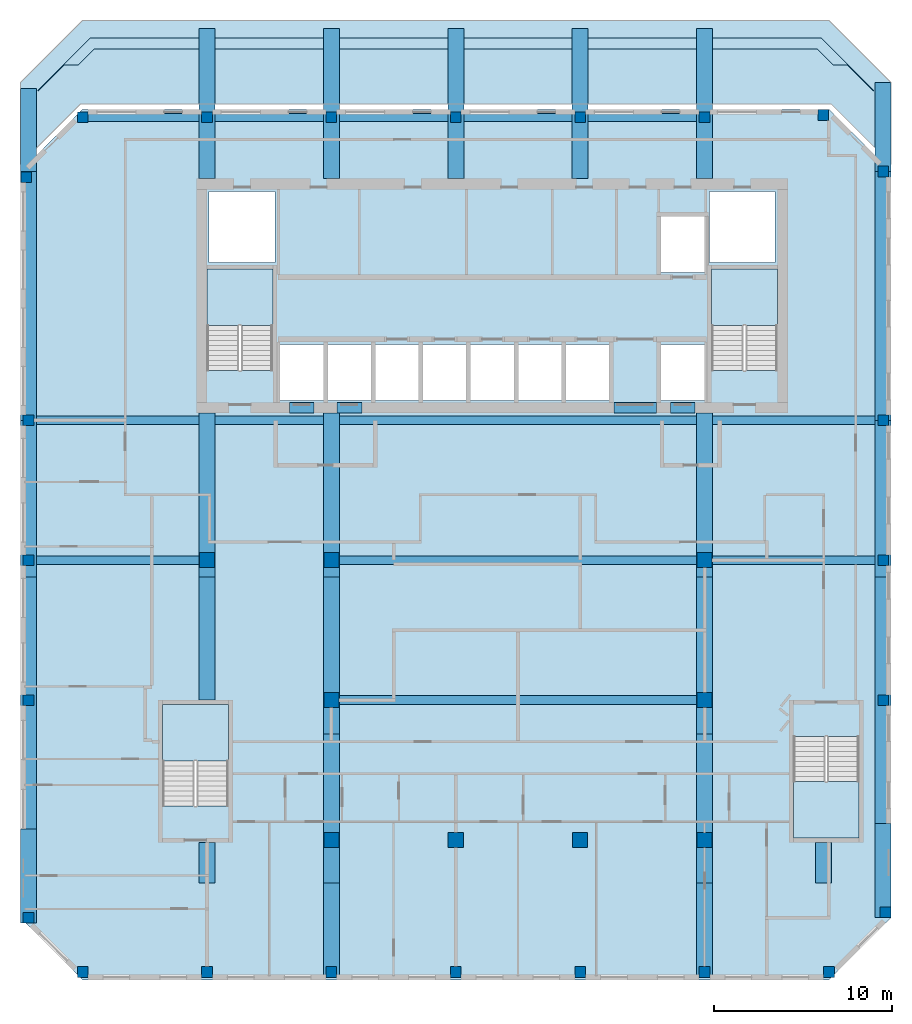
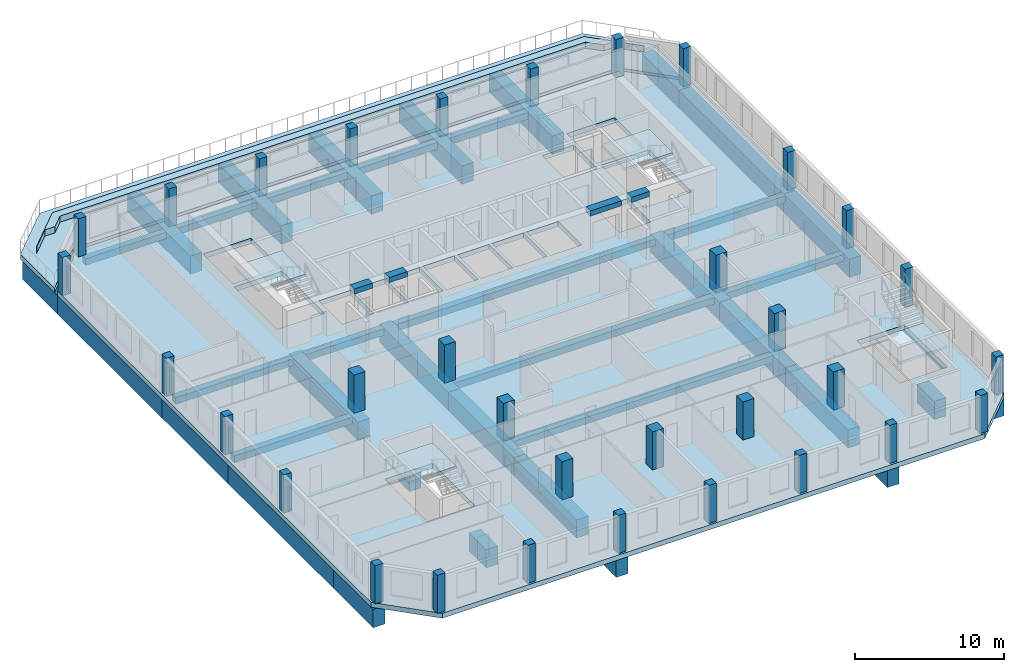
# One storey, part 1 of 12: 41 beams, 33 columns, 7 slabs, 4 elements without a shape of their own.
"""IFC4 building model written with IfcOpenShell, lengths in metres."""

from ifc_helpers import new_model, si_unit, direction, frame, origin, origin_2d, place, context, subcontext, project, spatial, polyline, rectangle, outline, extrude, source, transform, mapped, material, layer, layer_set, material_profile, profile_set, type_object, element, aggregate, save


model = new_model("IFC4")

# Units and contexts
model_context = context("Model", 3, precision=1e-05, world=origin(), true_north=direction((0.0, 1.0)))
body_context = subcontext(model_context, "Body", "Model", "MODEL_VIEW")
ifc_project = project(units=[si_unit("LENGTHUNIT", "METRE"), si_unit("AREAUNIT", "SQUARE_METRE"), si_unit("VOLUMEUNIT", "CUBIC_METRE"), si_unit("PLANEANGLEUNIT", "RADIAN"), si_unit("MASSUNIT", "GRAM", prefix="KILO")], contexts=[model_context])

# Site, building, storey
site_placement = place(None, origin())
site = spatial("IfcSite", under=ifc_project, at=site_placement, CompositionType="ELEMENT")
building_placement = place(site_placement, origin())
building = spatial("IfcBuilding", under=site, at=building_placement, Name="Kilnfold Tower and Market Hall", CompositionType="ELEMENT")
storey_placement = place(building_placement, frame((0.0, 0.0, 295.0)))
storey = spatial("IfcBuildingStorey", under=building, at=storey_placement, Name="L73", CompositionType="ELEMENT", Elevation=295.0)

# Columns
ifc_material_1 = material(Name="Concrete C60", Category="concrete")
ifc_material_profile_1 = material_profile(ifc_material_1, rectangle(XDim=0.60009765625, YDim=0.60009765625, at=origin_2d()), Name="RC 600x600")
ifc_profile_set_1 = profile_set([ifc_material_profile_1], Name="Concrete C60")
column_type_1 = type_object("IfcColumnType", Name="COLUMN 600X600 C60", PredefinedType="COLUMN", material=ifc_profile_set_1)
shared_shape_1 = source(origin(), body_context, "Body", "SweptSolid", [
    extrude(rectangle(XDim=0.60009765625, YDim=0.60009765625, at=origin_2d()), origin(), (0.0, 0.0, 1.0), 3.1201171875),
])
for number, where, z_axis, x_axis, name in (
    (1, (-25.181884765625, 21.681884765625, 0.0), (0.0, 0.0, 1.0), (1.0, 0.0, 0.0), "Column C-B9-1G"),
    (2, (-25.050048828125, -20.0, 0.0), (0.0, 0.0, 1.0), (1.0, 0.0, 0.0), "Column C-B9-1B"),
    (3, (-25.050048828125, -7.75, 0.0), (0.0, 0.0, 1.0), (1.0, 0.0, 0.0), "Column C-B9-1D"),
    (4, (-25.050048828125, 0.125, 0.0), (0.0, 0.0, 1.0), (1.0, 0.0, 0.0), "Column C-B9-1E"),
    (5, (-25.050048828125, 8.0, 0.0), (0.0, 0.0, 1.0), (1.0, 0.0, 0.0), "Column C-B9-1F"),
    (6, (-22.0, -23.050048828125, 0.0), (0.0, 0.0, 1.0), (1.0, 0.0, 0.0), "Column C-B9-2A"),
    (7, (-22.0, 25.050048828125, 0.0), (0.0, 0.0, 1.0), (1.0, 0.0, 0.0), "Column C-B9-2H"),
    (8, (-15.0, -23.050048828125, 0.0), (0.0, 0.0, 1.0), (1.0, 0.0, 0.0), "Column C-B9-3A"),
    (9, (-15.0, 25.050048828125, 0.0), (0.0, 0.0, 1.0), (1.0, 0.0, 0.0), "Column C-B9-3H"),
    (10, (-8.0, -23.050048828125, 0.0), (0.0, 0.0, 1.0), (1.0, 0.0, 0.0), "Column C-B9-4A"),
    (11, (-8.0, 25.050048828125, 0.0), (0.0, 0.0, 1.0), (1.0, 0.0, 0.0), "Column C-B9-4H"),
    (12, (-1.0, -23.050048828125, 0.0), (0.0, 0.0, 1.0), (1.0, 0.0, 0.0), "Column C-B9-5A"),
    (13, (-1.0, 25.050048828125, 0.0), (0.0, 0.0, 1.0), (1.0, 0.0, 0.0), "Column C-B9-5H"),
    (14, (6.0, -23.050048828125, 0.0), (0.0, 0.0, 1.0), (1.0, 0.0, 0.0), "Column C-B9-6A"),
    (15, (6.0, 25.050048828125, 0.0), (0.0, 0.0, 1.0), (1.0, 0.0, 0.0), "Column C-B9-6H"),
    (16, (13.0, -23.050048828125, 0.0), (0.0, 0.0, 1.0), (1.0, 0.0, 0.0), "Column C-B9-7A"),
    (17, (13.0, 25.050048828125, 0.0), (0.0, 0.0, 1.0), (1.0, 0.0, 0.0), "Column C-B9-7H"),
    (18, (19.681884765625, 25.181884765625, 0.0), (0.0, 0.0, 1.0), (1.0, 0.0, 0.0), "Column C-B9-8H"),
    (19, (20.0, -23.050048828125, 0.0), (0.0, 0.0, 1.0), (1.0, 0.0, 0.0), "Column C-B9-8A"),
    (20, (23.050048828125, -7.75, 0.0), (0.0, 0.0, 1.0), (1.0, 0.0, 0.0), "Column C-B9-9D"),
    (21, (23.050048828125, 0.125, 0.0), (0.0, 0.0, 1.0), (1.0, 0.0, 0.0), "Column C-B9-9E"),
    (22, (23.050048828125, 8.0, 0.0), (0.0, 0.0, 1.0), (1.0, 0.0, 0.0), "Column C-B9-9F"),
    (23, (23.050048828125, 22.0, 0.0), (0.0, 0.0, 1.0), (1.0, 0.0, 0.0), "Column C-B9-9G"),
    (24, (23.181884765625, -19.681884765625, 0.0), (0.0, 0.0, 1.0), (1.0, 0.0, 0.0), "Column C-B9-9B"),
):
    element("IfcColumn", number, at=place(storey_placement, frame(where, z_axis=z_axis, x_axis=x_axis)), inside=storey, type_object=column_type_1, Name=name, PredefinedType="COLUMN", context=body_context, shape_type="MappedRepresentation", body=[
        mapped(shared_shape_1, transform((0.0, 0.0, 0.0))),
    ])
ifc_material_2 = material(Name="Concrete C60", Category="concrete")
ifc_material_profile_2 = material_profile(ifc_material_2, rectangle(XDim=0.85009765625, YDim=0.85009765625, at=origin_2d()), Name="RC 850x850")
ifc_profile_set_2 = profile_set([ifc_material_profile_2], Name="Concrete C60")
column_type_2 = type_object("IfcColumnType", Name="COLUMN 850X850 C60", PredefinedType="COLUMN", material=ifc_profile_set_2)
shared_shape_2 = source(origin(), body_context, "Body", "SweptSolid", [
    extrude(rectangle(XDim=0.85009765625, YDim=0.85009765625, at=origin_2d()), origin(), (0.0, 0.0, 1.0), 3.1201171875),
])
for number, where, z_axis, x_axis, name in (
    (25, (-15.0, 0.125, 0.0), (0.0, 0.0, 1.0), (1.0, 0.0, 0.0), "Column C-B9-3E"),
    (26, (-8.0, -15.625, 0.0), (0.0, 0.0, 1.0), (1.0, 0.0, 0.0), "Column C-B9-4C"),
    (27, (-8.0, -7.75, 0.0), (0.0, 0.0, 1.0), (1.0, 0.0, 0.0), "Column C-B9-4D"),
    (28, (-8.0, 0.125, 0.0), (0.0, 0.0, 1.0), (1.0, 0.0, 0.0), "Column C-B9-4E"),
    (29, (-1.0, -15.625, 0.0), (0.0, 0.0, 1.0), (1.0, 0.0, 0.0), "Column C-B9-5C"),
    (30, (6.0, -15.625, 0.0), (0.0, 0.0, 1.0), (1.0, 0.0, 0.0), "Column C-B9-6C"),
    (31, (13.0, -15.625, 0.0), (0.0, 0.0, 1.0), (1.0, 0.0, 0.0), "Column C-B9-7C"),
    (32, (13.0, -7.75, 0.0), (0.0, 0.0, 1.0), (1.0, 0.0, 0.0), "Column C-B9-7D"),
    (33, (13.0, 0.125, 0.0), (0.0, 0.0, 1.0), (1.0, 0.0, 0.0), "Column C-B9-7E"),
):
    element("IfcColumn", number, at=place(storey_placement, frame(where, z_axis=z_axis, x_axis=x_axis)), inside=storey, type_object=column_type_2, Name=name, PredefinedType="COLUMN", context=body_context, shape_type="MappedRepresentation", body=[
        mapped(shared_shape_2, transform((0.0, 0.0, 0.0))),
    ])

# Beams
ifc_material_3 = material(Name="Concrete C60", Category="concrete")
ifc_material_profile_3 = material_profile(ifc_material_3, rectangle(XDim=0.89990234375, YDim=1.5, at=origin_2d()), Name="RC 900x1500")
ifc_profile_set_3 = profile_set([ifc_material_profile_3], Name="Concrete C60")
beam_type_1 = type_object("IfcBeamType", Name="TRANSFER GIRDER 900X1500 C60", PredefinedType="BEAM", material=ifc_profile_set_3)
shared_shape_3 = source(origin(), body_context, "Body", "SweptSolid", [
    extrude(rectangle(XDim=0.89990234375, YDim=1.5, at=origin_2d()), origin(), (0.0, 0.0, 1.0), 14.0),
])
for number, where, z_axis, x_axis, name in (
    (34, (-25.050048828125, 8.0, -1.14990234375), (0.0, 1.0, 0.0), (-1.0, 0.0, 0.0), "Beam TG1500-B9.4"),
    (35, (23.050048828125, 8.0, -1.14990234375), (0.0, 1.0, 0.0), (-1.0, 0.0, 0.0), "Beam TG1500-B9.26"),
):
    element("IfcBeam", number, at=place(storey_placement, frame(where, z_axis=z_axis, x_axis=x_axis)), inside=storey, type_object=beam_type_1, Name=name, PredefinedType="BEAM", context=body_context, shape_type="MappedRepresentation", body=[
        mapped(shared_shape_3, transform((0.0, 0.0, 0.0))),
    ])
ifc_material_4 = material(Name="Concrete C50", Category="concrete")
ifc_material_profile_4 = material_profile(ifc_material_4, rectangle(XDim=0.60009765625, YDim=0.419921875, at=origin_2d()), Name="RC 600x420")
ifc_profile_set_4 = profile_set([ifc_material_profile_4], Name="Concrete C50")
beam_type_2 = type_object("IfcBeamType", Name="COUPLING BEAM 600X420 C50", PredefinedType="BEAM", material=ifc_profile_set_4)
shared_shape_4 = source(origin(), body_context, "Body", "SweptSolid", [
    extrude(rectangle(XDim=0.60009765625, YDim=0.419921875, at=origin_2d()), origin(), (0.0, 0.0, 1.0), 1.400146484375),
])
beam_1_placement = place(storey_placement, frame((-10.3701171875, 8.699951171875, 2.909912109375), z_axis=(1.0, 0.0, 0.0), x_axis=(0.0, 1.0, 0.0)))
element("IfcBeam", 36, at=beam_1_placement, inside=storey, type_object=beam_type_2, Name="Coupling beam CB420-50-CORE.30", PredefinedType="BEAM", context=body_context, shape_type="MappedRepresentation", body=[
    mapped(shared_shape_4, transform((0.0, 0.0, 0.0))),
])
shared_shape_5 = source(origin(), body_context, "Body", "SweptSolid", [
    extrude(rectangle(XDim=0.60009765625, YDim=0.419921875, at=origin_2d()), origin(), (0.0, 0.0, 1.0), 1.39990234375),
])
for number, where, z_axis, x_axis, name in (
    (37, (-7.68994140625, 8.699951171875, 2.909912109375), (1.0, 0.0, 0.0), (0.0, 1.0, 0.0), "Coupling beam CB420-50-CORE.31"),
    (38, (11.070068359375, 8.699951171875, 2.909912109375), (1.0, 0.0, 0.0), (0.0, 1.0, 0.0), "Coupling beam CB420-50-CORE.33"),
):
    element("IfcBeam", number, at=place(storey_placement, frame(where, z_axis=z_axis, x_axis=x_axis)), inside=storey, type_object=beam_type_2, Name=name, PredefinedType="BEAM", context=body_context, shape_type="MappedRepresentation", body=[
        mapped(shared_shape_5, transform((0.0, 0.0, 0.0))),
    ])
shared_shape_6 = source(origin(), body_context, "Body", "SweptSolid", [
    extrude(rectangle(XDim=0.60009765625, YDim=0.419921875, at=origin_2d()), origin(), (0.0, 0.0, 1.0), 2.400146484375),
])
beam_2_placement = place(storey_placement, frame((7.889892578125, 8.699951171875, 2.909912109375), z_axis=(1.0, 0.0, 0.0), x_axis=(0.0, 1.0, 0.0)))
element("IfcBeam", 39, at=beam_2_placement, inside=storey, type_object=beam_type_2, Name="Coupling beam CB420-50-CORE.32", PredefinedType="BEAM", context=body_context, shape_type="MappedRepresentation", body=[
    mapped(shared_shape_6, transform((0.0, 0.0, 0.0))),
])
ifc_material_5 = material(Name="Concrete C45", Category="concrete")
ifc_material_profile_5 = material_profile(ifc_material_5, rectangle(XDim=0.5, YDim=0.550048828125, at=origin_2d()), Name="RC 500x550")
ifc_profile_set_5 = profile_set([ifc_material_profile_5], Name="Concrete C45")
beam_type_3 = type_object("IfcBeamType", Name="BEAM 500X550 C45", PredefinedType="BEAM", material=ifc_profile_set_5)
shared_shape_7 = source(origin(), body_context, "Body", "SweptSolid", [
    extrude(rectangle(XDim=0.5, YDim=0.550048828125, at=origin_2d()), origin(), (0.0, 0.0, 1.0), 47.2001953125),
])
beam_3_placement = place(storey_placement, frame((-24.60009765625, 8.0, -0.675048828125), z_axis=(1.0, 0.0, 0.0), x_axis=(0.0, 1.0, 0.0)))
element("IfcBeam", 40, at=beam_3_placement, inside=storey, type_object=beam_type_3, Name="Beam BB550-B9.32", PredefinedType="BEAM", context=body_context, shape_type="MappedRepresentation", body=[
    mapped(shared_shape_7, transform((0.0, 0.0, 0.0))),
])
shared_shape_8 = source(origin(), body_context, "Body", "SweptSolid", [
    extrude(rectangle(XDim=0.5, YDim=0.550048828125, at=origin_2d()), origin(), (0.0, 0.0, 1.0), 20.10009765625),
])
for number, where, z_axis, x_axis, name in (
    (41, (-7.550048828125, -7.75, -0.675048828125), (1.0, 0.0, 0.0), (0.0, 1.0, 0.0), "Beam BB550-B9.28"),
    (42, (-7.550048828125, 0.1201171875, -0.675048828125), (1.0, 0.0, 0.0), (0.0, 1.0, 0.0), "Beam BB550-B9.30"),
):
    element("IfcBeam", number, at=place(storey_placement, frame(where, z_axis=z_axis, x_axis=x_axis)), inside=storey, type_object=beam_type_3, Name=name, PredefinedType="BEAM", context=body_context, shape_type="MappedRepresentation", body=[
        mapped(shared_shape_8, transform((0.0, 0.0, 0.0))),
    ])
shared_shape_9 = source(origin(), body_context, "Body", "SweptSolid", [
    extrude(rectangle(XDim=0.89990234375, YDim=1.5, at=origin_2d()), origin(), (0.0, 0.0, 1.0), 5.300048828125),
])
for number, where, z_axis, x_axis, name in (
    (43, (-25.050048828125, -20.300048828125, -1.14990234375), (0.0, 1.0, 0.0), (-1.0, 0.0, 0.0), "Beam TG1500-B9.1"),
    (44, (-8.0, -23.35009765625, -1.14990234375), (0.0, 1.0, 0.0), (-1.0, 0.0, 0.0), "Beam TG1500-B9.10"),
    (45, (13.0, -23.35009765625, -1.14990234375), (0.0, 1.0, 0.0), (-1.0, 0.0, 0.0), "Beam TG1500-B9.17"),
):
    element("IfcBeam", number, at=place(storey_placement, frame(where, z_axis=z_axis, x_axis=x_axis)), inside=storey, type_object=beam_type_1, Name=name, PredefinedType="BEAM", context=body_context, shape_type="MappedRepresentation", body=[
        mapped(shared_shape_9, transform((0.0, 0.0, 0.0))),
    ])
shared_shape_10 = source(origin(), body_context, "Body", "SweptSolid", [
    extrude(rectangle(XDim=0.89990234375, YDim=1.5, at=origin_2d()), origin(), (0.0, 0.0, 1.0), 14.166748046875),
])
beam_4_placement = place(storey_placement, frame((-25.050048828125, -15.0, -1.14990234375), z_axis=(0.0, 1.0, 0.0), x_axis=(-1.0, 0.0, 0.0)))
element("IfcBeam", 46, at=beam_4_placement, inside=storey, type_object=beam_type_1, Name="Beam TG1500-B9.2", PredefinedType="BEAM", context=body_context, shape_type="MappedRepresentation", body=[
    mapped(shared_shape_10, transform((0.0, 0.0, 0.0))),
])
shared_shape_11 = source(origin(), body_context, "Body", "SweptSolid", [
    extrude(rectangle(XDim=0.89990234375, YDim=1.5, at=origin_2d()), origin(), (0.0, 0.0, 1.0), 8.833251953125),
])
for number, where, z_axis, x_axis, name in (
    (47, (-25.050048828125, -0.833251953125, -1.14990234375), (0.0, 1.0, 0.0), (-1.0, 0.0, 0.0), "Beam TG1500-B9.3"),
    (48, (23.050048828125, -0.833251953125, -1.14990234375), (0.0, 1.0, 0.0), (-1.0, 0.0, 0.0), "Beam TG1500-B9.25"),
):
    element("IfcBeam", number, at=place(storey_placement, frame(where, z_axis=z_axis, x_axis=x_axis)), inside=storey, type_object=beam_type_1, Name=name, PredefinedType="BEAM", context=body_context, shape_type="MappedRepresentation", body=[
        mapped(shared_shape_11, transform((0.0, 0.0, 0.0))),
    ])
shared_shape_12 = source(origin(), body_context, "Body", "SweptSolid", [
    extrude(rectangle(XDim=0.89990234375, YDim=1.5, at=origin_2d()), origin(), (0.0, 0.0, 1.0), 4.681884765625),
])
beam_5_placement = place(storey_placement, frame((-25.050048828125, 22.0, -1.14990234375), z_axis=(0.0, 1.0, 0.0), x_axis=(-1.0, 0.0, 0.0)))
element("IfcBeam", 49, at=beam_5_placement, inside=storey, type_object=beam_type_1, Name="Beam TG1500-B9.5", PredefinedType="BEAM", context=body_context, shape_type="MappedRepresentation", body=[
    mapped(shared_shape_12, transform((0.0, 0.0, 0.0))),
])
shared_shape_13 = source(origin(), body_context, "Body", "SweptSolid", [
    extrude(rectangle(XDim=0.89990234375, YDim=1.5, at=origin_2d()), origin(), (0.0, 0.0, 1.0), 2.300048828125),
])
for number, where, z_axis, x_axis, name in (
    (50, (-15.0, -18.050048828125, -1.14990234375), (0.0, 1.0, 0.0), (-1.0, 0.0, 0.0), "Beam TG1500-B9.6"),
    (51, (19.679931640625, -18.050048828125, -1.14990234375), (0.0, 1.0, 0.0), (-1.0, 0.0, 0.0), "Beam TG1500-B9.22"),
):
    element("IfcBeam", number, at=place(storey_placement, frame(where, z_axis=z_axis, x_axis=x_axis)), inside=storey, type_object=beam_type_1, Name=name, PredefinedType="BEAM", context=body_context, shape_type="MappedRepresentation", body=[
        mapped(shared_shape_13, transform((0.0, 0.0, 0.0))),
    ])
shared_shape_14 = source(origin(), body_context, "Body", "SweptSolid", [
    extrude(rectangle(XDim=0.89990234375, YDim=1.5, at=origin_2d()), origin(), (0.0, 0.0, 1.0), 6.916748046875),
])
beam_6_placement = place(storey_placement, frame((-15.0, -7.75, -1.14990234375), z_axis=(0.0, 1.0, 0.0), x_axis=(-1.0, 0.0, 0.0)))
element("IfcBeam", 52, at=beam_6_placement, inside=storey, type_object=beam_type_1, Name="Beam TG1500-B9.7", PredefinedType="BEAM", context=body_context, shape_type="MappedRepresentation", body=[
    mapped(shared_shape_14, transform((0.0, 0.0, 0.0))),
])
shared_shape_15 = source(origin(), body_context, "Body", "SweptSolid", [
    extrude(rectangle(XDim=0.89990234375, YDim=1.5, at=origin_2d()), origin(), (0.0, 0.0, 1.0), 9.233154296875),
])
for number, where, z_axis, x_axis, name in (
    (53, (-15.0, -0.833251953125, -1.14990234375), (0.0, 1.0, 0.0), (-1.0, 0.0, 0.0), "Beam TG1500-B9.8"),
    (54, (-8.0, -0.833251953125, -1.14990234375), (0.0, 1.0, 0.0), (-1.0, 0.0, 0.0), "Beam TG1500-B9.13"),
    (55, (13.0, -0.833251953125, -1.14990234375), (0.0, 1.0, 0.0), (-1.0, 0.0, 0.0), "Beam TG1500-B9.20"),
):
    element("IfcBeam", number, at=place(storey_placement, frame(where, z_axis=z_axis, x_axis=x_axis)), inside=storey, type_object=beam_type_1, Name=name, PredefinedType="BEAM", context=body_context, shape_type="MappedRepresentation", body=[
        mapped(shared_shape_15, transform((0.0, 0.0, 0.0))),
    ])
shared_shape_16 = source(origin(), body_context, "Body", "SweptSolid", [
    extrude(rectangle(XDim=0.89990234375, YDim=1.5, at=origin_2d()), origin(), (0.0, 0.0, 1.0), 8.449951171875),
])
for number, where, z_axis, x_axis, name in (
    (56, (-15.0, 21.60009765625, -1.14990234375), (0.0, 1.0, 0.0), (-1.0, 0.0, 0.0), "Beam TG1500-B9.9"),
    (57, (-8.0, 21.60009765625, -1.14990234375), (0.0, 1.0, 0.0), (-1.0, 0.0, 0.0), "Beam TG1500-B9.14"),
    (58, (-1.0, 21.60009765625, -1.14990234375), (0.0, 1.0, 0.0), (-1.0, 0.0, 0.0), "Beam TG1500-B9.15"),
    (59, (6.0, 21.60009765625, -1.14990234375), (0.0, 1.0, 0.0), (-1.0, 0.0, 0.0), "Beam TG1500-B9.16"),
    (60, (13.0, 21.60009765625, -1.14990234375), (0.0, 1.0, 0.0), (-1.0, 0.0, 0.0), "Beam TG1500-B9.21"),
):
    element("IfcBeam", number, at=place(storey_placement, frame(where, z_axis=z_axis, x_axis=x_axis)), inside=storey, type_object=beam_type_1, Name=name, PredefinedType="BEAM", context=body_context, shape_type="MappedRepresentation", body=[
        mapped(shared_shape_16, transform((0.0, 0.0, 0.0))),
    ])
shared_shape_17 = source(origin(), body_context, "Body", "SweptSolid", [
    extrude(rectangle(XDim=0.89990234375, YDim=1.5, at=origin_2d()), origin(), (0.0, 0.0, 1.0), 8.38330078125),
])
for number, where, z_axis, x_axis, name in (
    (61, (-8.0, -18.050048828125, -1.14990234375), (0.0, 1.0, 0.0), (-1.0, 0.0, 0.0), "Beam TG1500-B9.11"),
    (62, (13.0, -18.050048828125, -1.14990234375), (0.0, 1.0, 0.0), (-1.0, 0.0, 0.0), "Beam TG1500-B9.18"),
):
    element("IfcBeam", number, at=place(storey_placement, frame(where, z_axis=z_axis, x_axis=x_axis)), inside=storey, type_object=beam_type_1, Name=name, PredefinedType="BEAM", context=body_context, shape_type="MappedRepresentation", body=[
        mapped(shared_shape_17, transform((0.0, 0.0, 0.0))),
    ])
shared_shape_18 = source(origin(), body_context, "Body", "SweptSolid", [
    extrude(rectangle(XDim=0.89990234375, YDim=1.5, at=origin_2d()), origin(), (0.0, 0.0, 1.0), 8.83349609375),
])
for number, where, z_axis, x_axis, name in (
    (63, (-8.0, -9.666748046875, -1.14990234375), (0.0, 1.0, 0.0), (-1.0, 0.0, 0.0), "Beam TG1500-B9.12"),
    (64, (13.0, -9.666748046875, -1.14990234375), (0.0, 1.0, 0.0), (-1.0, 0.0, 0.0), "Beam TG1500-B9.19"),
):
    element("IfcBeam", number, at=place(storey_placement, frame(where, z_axis=z_axis, x_axis=x_axis)), inside=storey, type_object=beam_type_1, Name=name, PredefinedType="BEAM", context=body_context, shape_type="MappedRepresentation", body=[
        mapped(shared_shape_18, transform((0.0, 0.0, 0.0))),
    ])
shared_shape_19 = source(origin(), body_context, "Body", "SweptSolid", [
    extrude(rectangle(XDim=0.89990234375, YDim=1.5, at=origin_2d()), origin(), (0.0, 0.0, 1.0), 5.2998046875),
])
beam_7_placement = place(storey_placement, frame((23.050048828125, -19.981689453125, -1.14990234375), z_axis=(0.0, 1.0, 0.0), x_axis=(-1.0, 0.0, 0.0)))
element("IfcBeam", 65, at=beam_7_placement, inside=storey, type_object=beam_type_1, Name="Beam TG1500-B9.23", PredefinedType="BEAM", context=body_context, shape_type="MappedRepresentation", body=[
    mapped(shared_shape_19, transform((0.0, 0.0, 0.0))),
])
shared_shape_20 = source(origin(), body_context, "Body", "SweptSolid", [
    extrude(rectangle(XDim=0.89990234375, YDim=1.5, at=origin_2d()), origin(), (0.0, 0.0, 1.0), 13.8486328125),
])
beam_8_placement = place(storey_placement, frame((23.050048828125, -14.681884765625, -1.14990234375), z_axis=(0.0, 1.0, 0.0), x_axis=(-1.0, 0.0, 0.0)))
element("IfcBeam", 66, at=beam_8_placement, inside=storey, type_object=beam_type_1, Name="Beam TG1500-B9.24", PredefinedType="BEAM", context=body_context, shape_type="MappedRepresentation", body=[
    mapped(shared_shape_20, transform((0.0, 0.0, 0.0))),
])
shared_shape_21 = source(origin(), body_context, "Body", "SweptSolid", [
    extrude(rectangle(XDim=0.89990234375, YDim=1.5, at=origin_2d()), origin(), (0.0, 0.0, 1.0), 5.0),
])
beam_9_placement = place(storey_placement, frame((23.050048828125, 22.0, -1.14990234375), z_axis=(0.0, 1.0, 0.0), x_axis=(-1.0, 0.0, 0.0)))
element("IfcBeam", 67, at=beam_9_placement, inside=storey, type_object=beam_type_1, Name="Beam TG1500-B9.27", PredefinedType="BEAM", context=body_context, shape_type="MappedRepresentation", body=[
    mapped(shared_shape_21, transform((0.0, 0.0, 0.0))),
])
shared_shape_22 = source(origin(), body_context, "Body", "SweptSolid", [
    extrude(rectangle(XDim=0.5, YDim=0.550048828125, at=origin_2d()), origin(), (0.0, 0.0, 1.0), 9.150146484375),
])
for number, where, z_axis, x_axis, name in (
    (68, (-24.60009765625, 0.1201171875, -0.675048828125), (1.0, 0.0, 0.0), (0.0, 1.0, 0.0), "Beam BB550-B9.29"),
    (69, (13.449951171875, 0.1201171875, -0.675048828125), (1.0, 0.0, 0.0), (0.0, 1.0, 0.0), "Beam BB550-B9.31"),
):
    element("IfcBeam", number, at=place(storey_placement, frame(where, z_axis=z_axis, x_axis=x_axis)), inside=storey, type_object=beam_type_3, Name=name, PredefinedType="BEAM", context=body_context, shape_type="MappedRepresentation", body=[
        mapped(shared_shape_22, transform((0.0, 0.0, 0.0))),
    ])
ifc_material_6 = material(Name="Concrete C45", Category="concrete")
ifc_material_profile_6 = material_profile(ifc_material_6, rectangle(XDim=0.449951171875, YDim=0.550048828125, at=origin_2d()), Name="RC 450x550")
ifc_profile_set_6 = profile_set([ifc_material_profile_6], Name="Concrete C45")
beam_type_4 = type_object("IfcBeamType", Name="EDGE BEAM 450X550 C45", PredefinedType="BEAM", material=ifc_profile_set_6)
shared_shape_23 = source(origin(), body_context, "Body", "SweptSolid", [
    extrude(rectangle(XDim=0.449951171875, YDim=0.550048828125, at=origin_2d()), origin(), (0.0, 0.0, 1.0), 6.25),
])
beam_10_placement = place(storey_placement, frame((-21.699951171875, 25.050048828125, -0.675048828125), z_axis=(1.0, 0.0, 0.0), x_axis=(0.0, 1.0, 0.0)))
element("IfcBeam", 70, at=beam_10_placement, inside=storey, type_object=beam_type_4, Name="Beam EB550-B9.33", PredefinedType="BEAM", context=body_context, shape_type="MappedRepresentation", body=[
    mapped(shared_shape_23, transform((0.0, 0.0, 0.0))),
])
shared_shape_24 = source(origin(), body_context, "Body", "SweptSolid", [
    extrude(rectangle(XDim=0.449951171875, YDim=0.550048828125, at=origin_2d()), origin(), (0.0, 0.0, 1.0), 6.10009765625),
])
for number, where, z_axis, x_axis, name in (
    (71, (-14.550048828125, 25.050048828125, -0.675048828125), (1.0, 0.0, 0.0), (0.0, 1.0, 0.0), "Beam EB550-B9.34"),
    (72, (-7.550048828125, 25.050048828125, -0.675048828125), (1.0, 0.0, 0.0), (0.0, 1.0, 0.0), "Beam EB550-B9.35"),
    (73, (-0.550048828125, 25.050048828125, -0.675048828125), (1.0, 0.0, 0.0), (0.0, 1.0, 0.0), "Beam EB550-B9.36"),
    (74, (6.449951171875, 25.050048828125, -0.675048828125), (1.0, 0.0, 0.0), (0.0, 1.0, 0.0), "Beam EB550-B9.37"),
):
    element("IfcBeam", number, at=place(storey_placement, frame(where, z_axis=z_axis, x_axis=x_axis)), inside=storey, type_object=beam_type_4, Name=name, PredefinedType="BEAM", context=body_context, shape_type="MappedRepresentation", body=[
        mapped(shared_shape_24, transform((0.0, 0.0, 0.0))),
    ])

# Slabs
ifc_material_7 = material(Name="Concrete C45", Category="concrete")
ifc_layer_1 = layer(ifc_material_7, 0.39990234375)
ifc_layer_set_1 = layer_set([ifc_layer_1], Name="Concrete C45")
slab_type_1 = type_object("IfcSlabType", Name="FLOOR SLAB 400", PredefinedType="FLOOR", material=ifc_layer_set_1)
shared_shape_25 = source(origin(), body_context, "Body", "SweptSolid", [
    extrude(outline(polyline([(-22.0, -23.5), (20.0, -23.5), (23.5, -20.0), (23.5, 22.0), (20.0, 25.5), (-22.0, 25.5), (-25.5, 22.0), (-25.5, -20.0), (-22.0, -23.5)]), holes=[polyline([(-13.800537109375, -8.00048828125), (-13.800537109375, -13.699462890625), (-17.49951171875, -13.699462890625), (-17.49951171875, -8.00048828125), (-13.800537109375, -8.00048828125)]), polyline([(-11.300537109375, 10.800537109375), (-14.99951171875, 10.800537109375), (-14.99951171875, 16.49951171875), (-11.300537109375, 16.49951171875), (-11.300537109375, 10.800537109375)]), polyline([(-11.175048828125, 16.875), (-14.875, 16.875), (-14.875, 20.875), (-11.175048828125, 20.875), (-11.175048828125, 16.875)]), polyline([(-8.455078125, 9.125), (-10.885009765625, 9.125), (-10.885009765625, 12.27490234375), (-8.455078125, 12.27490234375), (-8.455078125, 9.125)]), polyline([(-5.77490234375, 9.125), (-8.205078125, 9.125), (-8.205078125, 12.27490234375), (-5.77490234375, 12.27490234375), (-5.77490234375, 9.125)]), polyline([(-3.094970703125, 9.125), (-5.52490234375, 9.125), (-5.52490234375, 12.27490234375), (-3.094970703125, 12.27490234375), (-3.094970703125, 9.125)]), polyline([(-0.4150390625, 9.125), (-2.844970703125, 9.125), (-2.844970703125, 12.27490234375), (-0.4150390625, 12.27490234375), (-0.4150390625, 9.125)]), polyline([(2.264892578125, 9.125), (-0.1650390625, 9.125), (-0.1650390625, 12.27490234375), (2.264892578125, 12.27490234375), (2.264892578125, 9.125)]), polyline([(4.945068359375, 9.125), (2.514892578125, 9.125), (2.514892578125, 12.27490234375), (4.945068359375, 12.27490234375), (4.945068359375, 9.125)]), polyline([(7.625, 9.125), (5.195068359375, 9.125), (5.195068359375, 12.27490234375), (7.625, 12.27490234375), (7.625, 9.125)]), polyline([(12.985107421875, 9.125), (10.554931640625, 9.125), (10.554931640625, 12.27490234375), (12.985107421875, 12.27490234375), (12.985107421875, 9.125)]), polyline([(12.985107421875, 16.324951171875), (10.554931640625, 16.324951171875), (10.554931640625, 19.47509765625), (12.985107421875, 19.47509765625), (12.985107421875, 16.324951171875)]), polyline([(16.97509765625, 16.875), (13.27490234375, 16.875), (13.27490234375, 20.875), (16.97509765625, 20.875), (16.97509765625, 16.875)]), polyline([(17.099609375, 10.800537109375), (13.400390625, 10.800537109375), (13.400390625, 16.49951171875), (17.099609375, 16.49951171875), (17.099609375, 10.800537109375)]), polyline([(18.00048828125, -9.800537109375), (21.699462890625, -9.800537109375), (21.699462890625, -15.49951171875), (18.00048828125, -15.49951171875), (18.00048828125, -9.800537109375)])]), origin(), (0.0, 0.0, 1.0), 0.400146484375),
])
slab_1_placement = place(storey_placement, frame((0.0, 0.0, -0.400146484375)))
element("IfcSlab", 75, at=slab_1_placement, inside=storey, type_object=slab_type_1, Name="Floor slab L73", PredefinedType="FLOOR", context=body_context, shape_type="MappedRepresentation", body=[
    mapped(shared_shape_25, transform((0.0, 0.0, 0.0))),
])
ifc_material_8 = material(Name="Concrete C40/50", Category="concrete")
ifc_layer_2 = layer(ifc_material_8, 0.39990234375)
ifc_layer_set_2 = layer_set([ifc_layer_2], Name="Concrete C40/50")
slab_type_2 = type_object("IfcSlabType", Name="TOWER TERRACE SLAB 400", PredefinedType="ROOF", material=ifc_layer_set_2)
shared_shape_26 = source(origin(), body_context, "Body", "SweptSolid", [
    extrude(outline(polyline([(-25.5, 27.0), (-22.0, 30.5), (20.0, 30.5), (23.5, 27.0), (23.5, 22.42431640625), (20.124267578125, 25.800048828125), (-22.124267578125, 25.800048828125), (-25.5, 22.42431640625), (-25.5, 27.0)])), origin(), (0.0, 0.0, 1.0), 0.39990234375),
])
slab_2_placement = place(storey_placement, frame((0.0, 0.0, -0.39990234375)))
element("IfcSlab", 76, at=slab_2_placement, inside=storey, type_object=slab_type_2, Name="Terrace slab L73 1", PredefinedType="ROOF", context=body_context, shape_type="MappedRepresentation", body=[
    mapped(shared_shape_26, transform((0.0, 0.0, 0.0))),
])
ifc_material_9 = material(Name="Concrete C40/50", Category="concrete")
ifc_layer_3 = layer(ifc_material_9, 0.5)
ifc_layer_set_3 = layer_set([ifc_layer_3], Name="Concrete C40/50")
slab_type_3 = type_object("IfcSlabType", Name="PLANTER BED 500", PredefinedType="ROOF", material=ifc_layer_set_3)
shared_shape_27 = source(origin(), body_context, "Body", "SweptSolid", [
    extrude(outline(polyline([(19.585693359375, 29.5), (22.5, 26.585693359375), (22.5, 26.535400390625), (21.035400390625, 28.0), (20.2373046875, 28.0), (19.33740234375, 28.89990234375), (-21.33740234375, 28.89990234375), (-22.2373046875, 28.0), (-23.035400390625, 28.0), (-24.5, 26.535400390625), (-24.5, 26.585693359375), (-21.585693359375, 29.5), (19.585693359375, 29.5)])), origin(), (0.0, 0.0, 1.0), 0.5),
])
slab_3_placement = place(storey_placement, origin())
element("IfcSlab", 77, at=slab_3_placement, inside=storey, type_object=slab_type_3, Name="Planter bed L73 1.1", PredefinedType="ROOF", context=body_context, shape_type="MappedRepresentation", body=[
    mapped(shared_shape_27, transform((0.0, 0.0, 0.0))),
])

# Stair, slab
ifc_material_10 = material(Name="Concrete C40/50", Category="concrete")
stair_type = type_object("IfcStairType", Name="CORE STAIR 1800", PredefinedType="HALF_TURN_STAIR", material=ifc_material_10)
stair_1_placement = place(storey_placement, origin())
stair_1 = element("IfcStair", 78, at=stair_1_placement, inside=storey, type_object=stair_type, Name="L73 ST1", PredefinedType="HALF_TURN_STAIR")
ifc_material_11 = material(Name="Concrete C40/50", Category="concrete")
ifc_layer_4 = layer(ifc_material_11, 0.199951171875)
ifc_layer_set_4 = layer_set([ifc_layer_4], Name="Concrete C40/50")
slab_type_4 = type_object("IfcSlabType", Name="CORE STAIR LANDING 200", PredefinedType="LANDING", material=ifc_layer_set_4)
shared_shape_28 = source(origin(), body_context, "Body", "SweptSolid", [
    extrude(outline(polyline([(-11.300048828125, 13.320068359375), (-11.300048828125, 16.5), (-15.0, 16.5), (-15.0, 13.320068359375), (-11.300048828125, 13.320068359375)])), origin(), (0.0, 0.0, 1.0), 0.199951171875),
])
slab_4_placement = place(storey_placement, frame((0.0, 0.0, 1.5)))
slab_4 = element("IfcSlab", 79, at=slab_4_placement, type_object=slab_type_4, Name="ST1 landing 1", PredefinedType="LANDING", context=body_context, shape_type="MappedRepresentation", body=[
    mapped(shared_shape_28, transform((0.0, 0.0, 0.0))),
])
aggregate(stair_1, [slab_4])

stair_2_placement = place(storey_placement, origin())
stair_2 = element("IfcStair", 80, at=stair_2_placement, inside=storey, type_object=stair_type, Name="L73 ST2", PredefinedType="HALF_TURN_STAIR")
shared_shape_29 = source(origin(), body_context, "Body", "SweptSolid", [
    extrude(outline(polyline([(17.10009765625, 13.320068359375), (17.10009765625, 16.5), (13.39990234375, 16.5), (13.39990234375, 13.320068359375), (17.10009765625, 13.320068359375)])), origin(), (0.0, 0.0, 1.0), 0.199951171875),
])
slab_5_placement = place(storey_placement, frame((0.0, 0.0, 1.5)))
slab_5 = element("IfcSlab", 81, at=slab_5_placement, type_object=slab_type_4, Name="ST2 landing 1", PredefinedType="LANDING", context=body_context, shape_type="MappedRepresentation", body=[
    mapped(shared_shape_29, transform((0.0, 0.0, 0.0))),
])
aggregate(stair_2, [slab_5])

stair_3_placement = place(storey_placement, origin())
stair_3 = element("IfcStair", 82, at=stair_3_placement, inside=storey, type_object=stair_type, Name="L73 ST3", PredefinedType="HALF_TURN_STAIR")
shared_shape_30 = source(origin(), body_context, "Body", "SweptSolid", [
    extrude(outline(polyline([(-13.800048828125, -11.179931640625), (-13.800048828125, -8.0), (-17.5, -8.0), (-17.5, -11.179931640625), (-13.800048828125, -11.179931640625)])), origin(), (0.0, 0.0, 1.0), 0.199951171875),
])
slab_6_placement = place(storey_placement, frame((0.0, 0.0, 1.5)))
slab_6 = element("IfcSlab", 83, at=slab_6_placement, type_object=slab_type_4, Name="ST3 landing 1", PredefinedType="LANDING", context=body_context, shape_type="MappedRepresentation", body=[
    mapped(shared_shape_30, transform((0.0, 0.0, 0.0))),
])
aggregate(stair_3, [slab_6])

stair_4_placement = place(storey_placement, origin())
stair_4 = element("IfcStair", 84, at=stair_4_placement, inside=storey, type_object=stair_type, Name="L73 ST4", PredefinedType="HALF_TURN_STAIR")
shared_shape_31 = source(origin(), body_context, "Body", "SweptSolid", [
    extrude(outline(polyline([(18.0, -12.320068359375), (18.0, -15.5), (21.699951171875, -15.5), (21.699951171875, -12.320068359375), (18.0, -12.320068359375)])), origin(), (0.0, 0.0, 1.0), 0.199951171875),
])
slab_7_placement = place(storey_placement, frame((0.0, 0.0, 1.5)))
slab_7 = element("IfcSlab", 85, at=slab_7_placement, type_object=slab_type_4, Name="ST4 landing 1", PredefinedType="LANDING", context=body_context, shape_type="MappedRepresentation", body=[
    mapped(shared_shape_31, transform((0.0, 0.0, 0.0))),
])
aggregate(stair_4, [slab_7])

save(model, "model.ifc")
